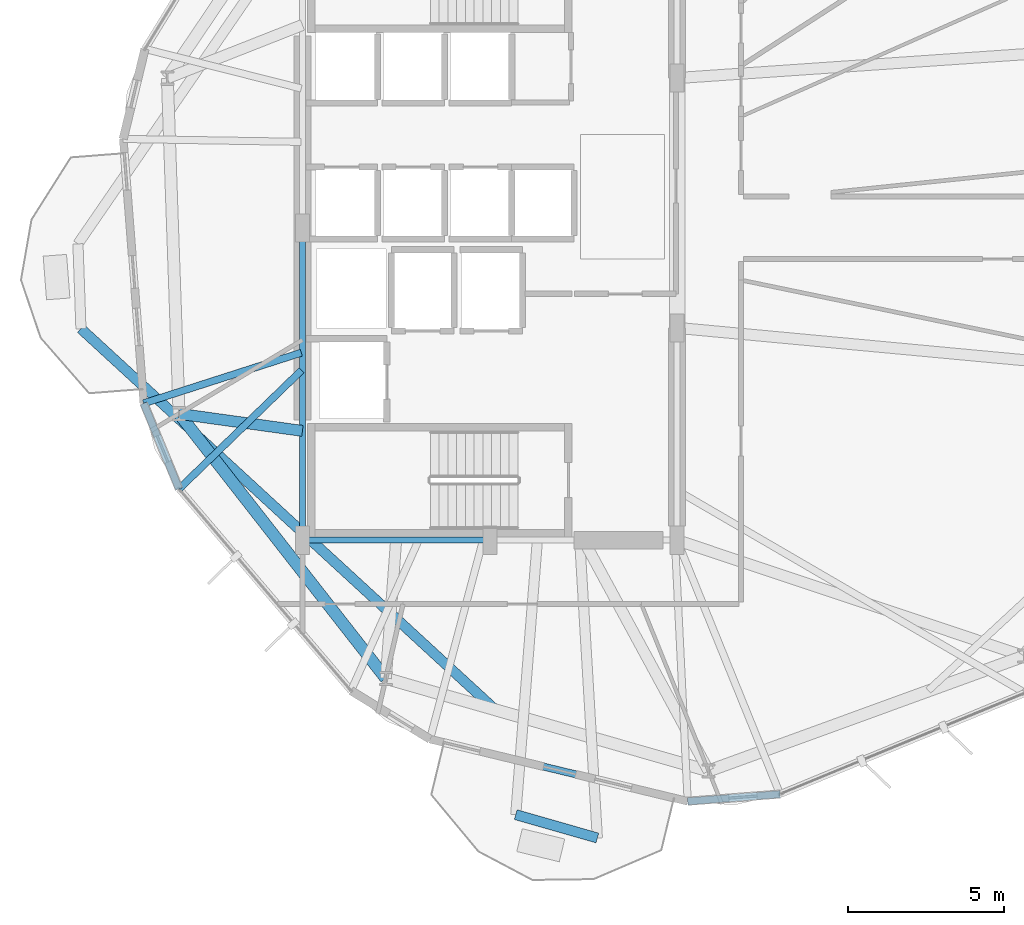
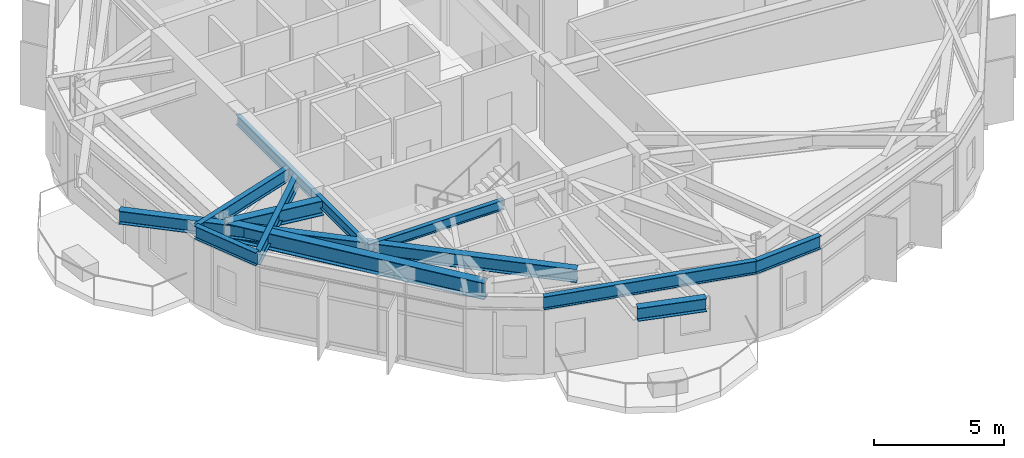
# One storey, part 3 of 21: 11 beams.
"""IFC4 building model written with IfcOpenShell, lengths in metres."""

from ifc_helpers import new_model, si_unit, direction, frame, origin, origin_2d, place, context, subcontext, project, spatial, i_section, extrude, material, material_profile, profile_set, type_object, element, save


model = new_model("IFC4")

# Units and contexts
model_context = context("Model", 3, precision=1e-05, world=origin(), true_north=direction((0.0, 1.0)))
body_context = subcontext(model_context, "Body", "Model", "MODEL_VIEW")
ifc_project = project(units=[si_unit("LENGTHUNIT", "METRE"), si_unit("AREAUNIT", "SQUARE_METRE"), si_unit("VOLUMEUNIT", "CUBIC_METRE"), si_unit("PLANEANGLEUNIT", "RADIAN"), si_unit("MASSUNIT", "GRAM", prefix="KILO")], contexts=[model_context])

# Site, building, storey
site_placement = place(None, origin())
site = spatial("IfcSite", under=ifc_project, at=site_placement, CompositionType="ELEMENT")
building_placement = place(site_placement, origin())
building = spatial("IfcBuilding", under=site, at=building_placement, Name="Soratama Intermodal Tower", CompositionType="ELEMENT")
storey_placement = place(building_placement, frame((0.0, 0.0, 114.699951171875)))
storey = spatial("IfcBuildingStorey", under=building, at=storey_placement, Name="L27", CompositionType="ELEMENT", Elevation=114.699951171875)

# Beams
ifc_material_1 = material(Name="Structural steel ASTM A992 Grade 50", Category="steel")
ifc_material_profile_1 = material_profile(ifc_material_1, i_section(OverallWidth=0.324951171875, OverallDepth=0.615966796875, WebThickness=0.013916015625, FlangeThickness=0.021484375, FilletRadius=0.013916015625, at=origin_2d()), Name="W24X117")
ifc_profile_set_1 = profile_set([ifc_material_profile_1], Name="Structural steel ASTM A992 Grade 50")
beam_type_1 = type_object("IfcBeamType", Name="BM-CANT-W24X117", PredefinedType="BEAM", material=ifc_profile_set_1)
beam_1_placement = place(storey_placement, frame((39.430908203125, 6.2119140625, 3.2919921875), z_axis=(0.961313606684, -0.27545625715, 0.0), x_axis=(0.27545625715, 0.961313606684, 0.0)))
element("IfcBeam", 1, at=beam_1_placement, inside=storey, type_object=beam_type_1, Name="BM-L27-CBHDR-3", PredefinedType="BEAM", context=body_context, shape_type="SweptSolid", body=[
    extrude(i_section(OverallWidth=0.324951171875, OverallDepth=0.615966796875, WebThickness=0.013916015625, FlangeThickness=0.021484375, FilletRadius=0.013916015625, at=origin_2d()), origin(), (0.0, 0.0, 1.0), 2.71923828125),
])
beam_2_placement = place(storey_placement, frame((38.748046875, 9.595947265625, 3.2919921875), z_axis=(-0.736085708383, 0.676888343757, 0.0), x_axis=(-0.676888343757, -0.736085708383, 0.0)))
element("IfcBeam", 2, at=beam_2_placement, inside=storey, type_object=beam_type_1, Name="BM-L27-CANT-2-2", PredefinedType="BEAM", context=body_context, shape_type="SweptSolid", body=[
    extrude(i_section(OverallWidth=0.324951171875, OverallDepth=0.615966796875, WebThickness=0.013916015625, FlangeThickness=0.021484375, FilletRadius=0.013916015625, at=origin_2d()), origin(), (0.0, 0.0, 1.0), 17.98974609375),
])
ifc_material_2 = material(Name="Structural steel ASTM A992 Grade 50", Category="steel")
ifc_material_profile_2 = material_profile(ifc_material_2, i_section(OverallWidth=0.19091796875, OverallDepth=0.4599609375, WebThickness=0.010009765625, FlangeThickness=0.01611328125, FilletRadius=0.010986328125, at=origin_2d()), Name="W18X55")
ifc_profile_set_2 = profile_set([ifc_material_profile_2], Name="Structural steel ASTM A992 Grade 50")
beam_type_2 = type_object("IfcBeamType", Name="BM-FLR-W18X55", PredefinedType="BEAM", material=ifc_profile_set_2)
beam_3_placement = place(storey_placement, frame((32.60009765625, 15.0, 3.3701171875), z_axis=(1.0, 0.0, 0.0), x_axis=(0.0, 1.0, 0.0)))
element("IfcBeam", 3, at=beam_3_placement, inside=storey, type_object=beam_type_2, Name="BM-L27-CRING-01", PredefinedType="BEAM", context=body_context, shape_type="SweptSolid", body=[
    extrude(i_section(OverallWidth=0.19091796875, OverallDepth=0.4599609375, WebThickness=0.010009765625, FlangeThickness=0.01611328125, FilletRadius=0.010986328125, at=origin_2d()), origin(), (0.0, 0.0, 1.0), 6.0),
])
beam_4_placement = place(storey_placement, frame((32.60009765625, 25.0, 3.3701171875), z_axis=(0.0, -1.0, 0.0), x_axis=(1.0, 0.0, 0.0)))
element("IfcBeam", 4, at=beam_4_placement, inside=storey, type_object=beam_type_2, Name="BM-L27-CRING-09", PredefinedType="BEAM", context=body_context, shape_type="SweptSolid", body=[
    extrude(i_section(OverallWidth=0.19091796875, OverallDepth=0.4599609375, WebThickness=0.010009765625, FlangeThickness=0.01611328125, FilletRadius=0.010986328125, at=origin_2d()), origin(), (0.0, 0.0, 1.0), 10.0),
])
ifc_material_3 = material(Name="Structural steel ASTM A992 Grade 50", Category="steel")
ifc_material_profile_3 = material_profile(ifc_material_3, i_section(OverallWidth=0.35498046875, OverallDepth=0.695068359375, WebThickness=0.015380859375, FlangeThickness=0.02490234375, FilletRadius=0.01611328125, at=origin_2d()), Name="W27X146")
ifc_profile_set_3 = profile_set([ifc_material_profile_3], Name="Structural steel ASTM A992 Grade 50")
beam_type_3 = type_object("IfcBeamType", Name="BM-RING-W27X146", PredefinedType="BEAM", material=ifc_profile_set_3)
beam_5_placement = place(storey_placement, frame((32.60009765625, 18.5, 3.25244140625), z_axis=(-0.990482077962, 0.137641756879, 0.0), x_axis=(-0.137641756879, -0.990482077962, 0.0)))
element("IfcBeam", 5, at=beam_5_placement, inside=storey, type_object=beam_type_3, Name="BM-L27-RAD-06", PredefinedType="BEAM", context=body_context, shape_type="SweptSolid", body=[
    extrude(i_section(OverallWidth=0.35498046875, OverallDepth=0.695068359375, WebThickness=0.015380859375, FlangeThickness=0.02490234375, FilletRadius=0.01611328125, at=origin_2d()), origin(), (0.0, 0.0, 1.0), 3.9892578125),
])
ifc_material_4 = material(Name="Structural steel ASTM A992 Grade 50", Category="steel")
ifc_material_profile_4 = material_profile(ifc_material_4, i_section(OverallWidth=0.382080078125, OverallDepth=0.779052734375, WebThickness=0.01806640625, FlangeThickness=0.030029296875, FilletRadius=0.01806640625, at=origin_2d()), Name="W30X191")
ifc_profile_set_4 = profile_set([ifc_material_profile_4], Name="Structural steel ASTM A992 Grade 50")
beam_type_4 = type_object("IfcBeamType", Name="BM-RING-W30X191", PredefinedType="BEAM", material=ifc_profile_set_4)
beam_6_placement = place(storey_placement, frame((28.64892578125, 19.049072265625, 3.21044921875), z_axis=(0.615683690883, -0.787993396407, 0.0), x_axis=(0.787993396407, 0.615683690883, 0.0)))
element("IfcBeam", 6, at=beam_6_placement, inside=storey, type_object=beam_type_4, Name="BM-L27-RING-06", PredefinedType="BEAM", context=body_context, shape_type="SweptSolid", body=[
    extrude(i_section(OverallWidth=0.382080078125, OverallDepth=0.779052734375, WebThickness=0.01806640625, FlangeThickness=0.030029296875, FilletRadius=0.01806640625, at=origin_2d()), origin(), (0.0, 0.0, 1.0), 10.754150390625),
])
ifc_material_5 = material(Name="Structural steel ASTM A992 Grade 50", Category="steel")
ifc_material_profile_5 = material_profile(ifc_material_5, i_section(OverallWidth=0.22900390625, OverallDepth=0.612060546875, WebThickness=0.011962890625, FlangeThickness=0.01953125, FilletRadius=0.012939453125, at=origin_2d()), Name="W24X84")
ifc_profile_set_5 = profile_set([ifc_material_profile_5], Name="Structural steel ASTM A992 Grade 50")
beam_type_5 = type_object("IfcBeamType", Name="BM-SPN-W24X84", PredefinedType="SPANDREL", material=ifc_profile_set_5)
beam_7_placement = place(storey_placement, frame((27.51611328125, 19.384033203125, 3.2939453125), z_axis=(0.381838093578, -0.924229230382, 0.0), x_axis=(0.924229230382, 0.381838093578, 0.0)))
element("IfcBeam", 7, at=beam_7_placement, inside=storey, type_object=beam_type_5, Name="BS-L27-CRN05", PredefinedType="SPANDREL", context=body_context, shape_type="SweptSolid", body=[
    extrude(i_section(OverallWidth=0.22900390625, OverallDepth=0.612060546875, WebThickness=0.011962890625, FlangeThickness=0.01953125, FilletRadius=0.012939453125, at=origin_2d()), origin(), (0.0, 0.0, 1.0), 2.966796875),
])
beam_8_placement = place(storey_placement, frame((36.68408203125, 8.626953125, 3.2939453125), z_axis=(0.97211860796, -0.234489684332, 0.0), x_axis=(0.234489684332, 0.97211860796, 0.0)))
element("IfcBeam", 8, at=beam_8_placement, inside=storey, type_object=beam_type_5, Name="BS-L27-F07", PredefinedType="SPANDREL", context=body_context, shape_type="SweptSolid", body=[
    extrude(i_section(OverallWidth=0.22900390625, OverallDepth=0.612060546875, WebThickness=0.011962890625, FlangeThickness=0.01953125, FilletRadius=0.012939453125, at=origin_2d()), origin(), (0.0, 0.0, 1.0), 8.49072265625),
])
beam_9_placement = place(storey_placement, frame((44.93798828125, 6.635986328125, 3.2939453125), z_axis=(0.996991224451, 0.077514504245, 0.0), x_axis=(-0.077514504245, 0.996991224451, 0.0)))
element("IfcBeam", 9, at=beam_9_placement, inside=storey, type_object=beam_type_5, Name="BS-L27-CRN07", PredefinedType="SPANDREL", context=body_context, shape_type="SweptSolid", body=[
    extrude(i_section(OverallWidth=0.22900390625, OverallDepth=0.612060546875, WebThickness=0.011962890625, FlangeThickness=0.01953125, FilletRadius=0.012939453125, at=origin_2d()), origin(), (0.0, 0.0, 1.0), 2.967041015625),
])
ifc_material_6 = material(Name="Structural steel ASTM A992 Grade 50", Category="steel")
ifc_material_profile_6 = material_profile(ifc_material_6, i_section(OverallWidth=0.22900390625, OverallDepth=0.612060546875, WebThickness=0.011962890625, FlangeThickness=0.01953125, FilletRadius=0.012939453125, at=origin_2d()), Name="W24X84")
ifc_profile_set_6 = profile_set([ifc_material_profile_6], Name="Structural steel ASTM A992 Grade 50")
beam_type_6 = type_object("IfcBeamType", Name="BM-TIE-W24X84", PredefinedType="BEAM", material=ifc_profile_set_6)
beam_10_placement = place(storey_placement, frame((32.56201171875, 21.0048828125, 3.2939453125), z_axis=(-0.952086060036, -0.30583023769, 0.0), x_axis=(0.30583023769, -0.952086060036, 0.0)))
element("IfcBeam", 10, at=beam_10_placement, inside=storey, type_object=beam_type_6, Name="BM-L27-TIE1-05", PredefinedType="BEAM", context=body_context, shape_type="SweptSolid", body=[
    extrude(i_section(OverallWidth=0.22900390625, OverallDepth=0.612060546875, WebThickness=0.011962890625, FlangeThickness=0.01953125, FilletRadius=0.012939453125, at=origin_2d()), origin(), (0.0, 0.0, 1.0), 5.2998046875),
])
beam_11_placement = place(storey_placement, frame((32.571044921875, 20.43994140625, 3.2939453125), z_axis=(-0.718395940859, -0.695634438593, 0.0), x_axis=(0.695634438593, -0.718395940859, 0.0)))
element("IfcBeam", 11, at=beam_11_placement, inside=storey, type_object=beam_type_6, Name="BM-L27-TIE0-06", PredefinedType="BEAM", context=body_context, shape_type="SweptSolid", body=[
    extrude(i_section(OverallWidth=0.22900390625, OverallDepth=0.612060546875, WebThickness=0.011962890625, FlangeThickness=0.01953125, FilletRadius=0.012939453125, at=origin_2d()), origin(), (0.0, 0.0, 1.0), 5.45947265625),
])

save(model, "model.ifc")
